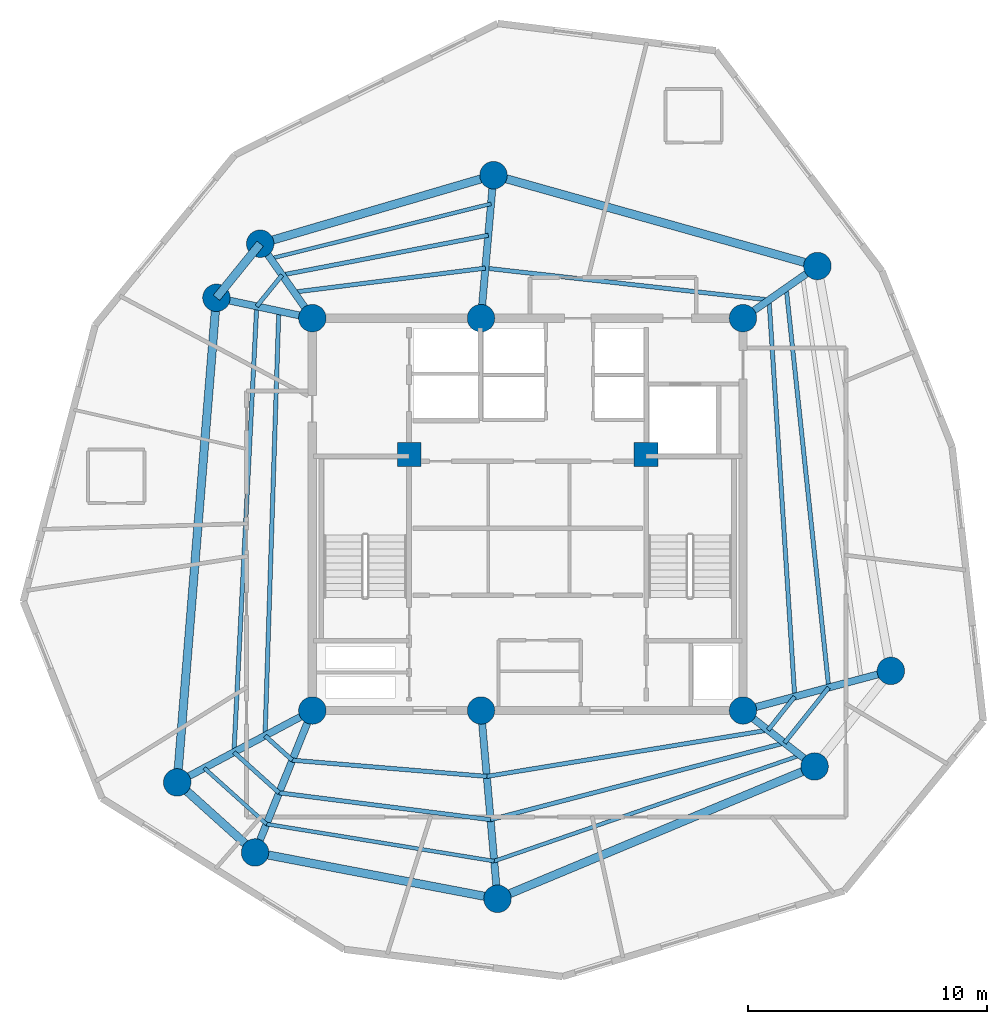
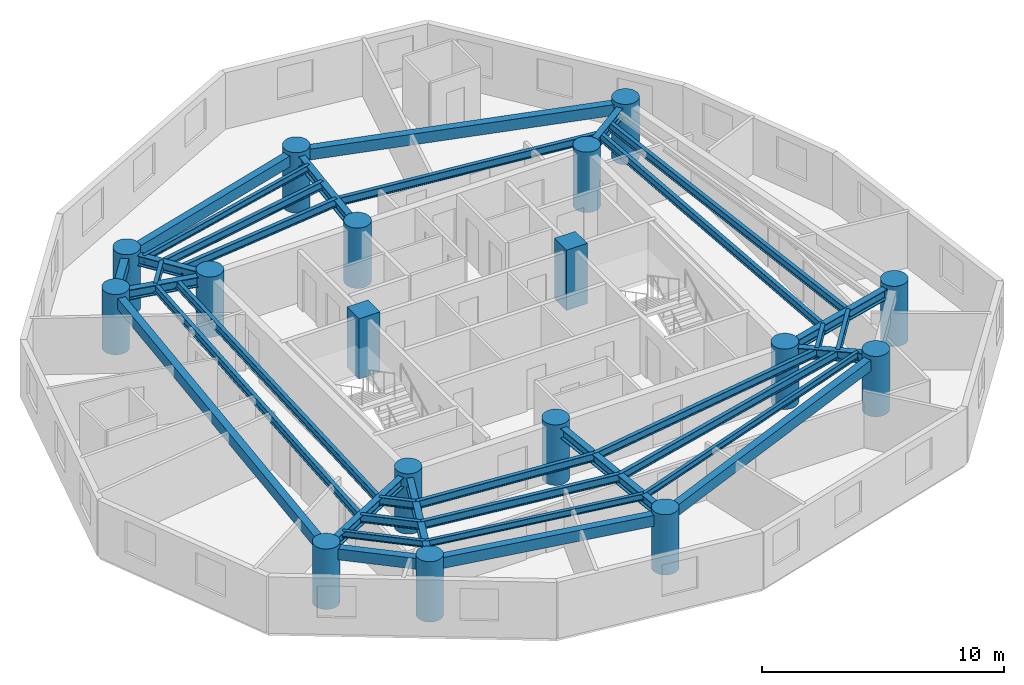
# One storey, part 1 of 7: 36 beams, 17 columns.
"""IFC4 building model written with IfcOpenShell, lengths in metres."""

from ifc_helpers import new_model, si_unit, direction, frame, origin, origin_with_axes, origin_2d, place, context, subcontext, project, spatial, rectangle, circle, i_section, extrude, source, transform, mapped, material, material_profile, profile_set, type_object, element, save


model = new_model("IFC4")

# Units and contexts
model_context = context("Model", 3, precision=1e-05, world=origin(), true_north=direction((0.0, 1.0)))
body_context = subcontext(model_context, "Body", "Model", "MODEL_VIEW")
ifc_project = project(units=[si_unit("LENGTHUNIT", "METRE"), si_unit("AREAUNIT", "SQUARE_METRE"), si_unit("VOLUMEUNIT", "CUBIC_METRE"), si_unit("PLANEANGLEUNIT", "RADIAN"), si_unit("MASSUNIT", "GRAM", prefix="KILO")], contexts=[model_context])

# Site, building, storey
site_placement = place(None, origin())
site = spatial("IfcSite", under=ifc_project, at=site_placement, CompositionType="ELEMENT")
building_placement = place(site_placement, origin())
building = spatial("IfcBuilding", under=site, at=building_placement, Name="Karkom Vertical University and Central Library", CompositionType="ELEMENT")
storey_placement = place(building_placement, frame((0.0, 0.0, 241.300048828125)))
storey = spatial("IfcBuildingStorey", under=building, at=storey_placement, Name="L71", CompositionType="ELEMENT", Elevation=241.300048828125)

# Columns
ifc_material_1 = material(Name="Concrete C50/60", Category="concrete")
ifc_material_profile_1 = material_profile(ifc_material_1, rectangle(XDim=1.0, YDim=1.0, at=origin_2d()), Name="RC-1000x1000")
ifc_profile_set_1 = profile_set([ifc_material_profile_1], Name="Concrete C50/60")
column_type_1 = type_object("IfcColumnType", Name="STR-COL-C-CC2", PredefinedType="COLUMN", material=ifc_profile_set_1)
shared_shape_1 = source(origin_with_axes(), body_context, "Body", "SweptSolid", [
    extrude(rectangle(XDim=1.0, YDim=1.0, at=origin_2d()), origin(), (0.0, 0.0, 1.0), 3.050048828125),
])
for number, where, z_axis, x_axis, name in (
    (1, (23.550048828125, 29.0, 0.0), (0.0, 0.0, 1.0), (1.0, 0.0, 0.0), "Level 71 Core Node Column CC-1"),
    (2, (33.449951171875, 29.0, 0.0), (0.0, 0.0, 1.0), (1.0, 0.0, 0.0), "Level 71 Core Node Column CC-2"),
):
    element("IfcColumn", number, at=place(storey_placement, frame(where, z_axis=z_axis, x_axis=x_axis)), inside=storey, type_object=column_type_1, Name=name, PredefinedType="COLUMN", context=body_context, shape_type="MappedRepresentation", body=[
        mapped(shared_shape_1, transform((0.0, 0.0, 0.0), scale=1.0)),
    ])
ifc_material_2 = material(Name="Concrete C45/55", Category="concrete")
ifc_material_profile_2 = material_profile(ifc_material_2, circle(Radius=0.574951171875, at=origin_2d()), Name="CFT-D1150")
ifc_profile_set_2 = profile_set([ifc_material_profile_2], Name="Concrete C45/55")
column_type_2 = type_object("IfcColumnType", Name="STR-COL-C-SC5", PredefinedType="COLUMN", material=ifc_profile_set_2)
shared_shape_2 = source(origin_with_axes(), body_context, "Body", "SweptSolid", [
    extrude(circle(Radius=0.574951171875, at=origin_2d()), origin(), (0.0, 0.0, 1.0), 3.050048828125),
])
for number, where, z_axis, x_axis, name in (
    (3, (19.5, 18.300048828125, 0.0), (0.0, 0.0, 1.0), (1.0, 0.0, 0.0), "Level 71 Spine Mega-Column SC-1"),
    (4, (26.550048828125, 18.300048828125, 0.0), (0.0, 0.0, 1.0), (1.0, 0.0, 0.0), "Level 71 Spine Mega-Column SC-2"),
    (5, (37.5, 18.300048828125, 0.0), (0.0, 0.0, 1.0), (1.0, 0.0, 0.0), "Level 71 Spine Mega-Column SC-3"),
    (6, (19.5, 34.699951171875, 0.0), (0.0, 0.0, 1.0), (1.0, 0.0, 0.0), "Level 71 Spine Mega-Column SC-4"),
    (7, (26.550048828125, 34.699951171875, 0.0), (0.0, 0.0, 1.0), (1.0, 0.0, 0.0), "Level 71 Spine Mega-Column SC-5"),
    (8, (37.5, 34.699951171875, 0.0), (0.0, 0.0, 1.0), (1.0, 0.0, 0.0), "Level 71 Spine Mega-Column SC-6"),
    (9, (43.681884765625, 19.9560546875, 0.0), (0.0, 0.0, 1.0), (1.0, 0.0, 0.0), "Level 71 Perimeter Mega-Column Z4-PC1"),
    (10, (40.613037109375, 36.8798828125, 0.0), (0.0, 0.0, 1.0), (1.0, 0.0, 0.0), "Level 71 Perimeter Mega-Column Z4-PC2"),
    (11, (27.072998046875, 40.677001953125, 0.0), (0.0, 0.0, 1.0), (1.0, 0.0, 0.0), "Level 71 Perimeter Mega-Column Z4-PC3"),
    (12, (17.320068359375, 37.81298828125, 0.0), (0.0, 0.0, 1.0), (1.0, 0.0, 0.0), "Level 71 Perimeter Mega-Column Z4-PC4"),
    (13, (15.489990234375, 35.552001953125, 0.0), (0.0, 0.0, 1.0), (1.0, 0.0, 0.0), "Level 71 Perimeter Mega-Column Z4-PC5"),
    (14, (13.84912109375, 15.294921875, 0.0), (0.0, 0.0, 1.0), (1.0, 0.0, 0.0), "Level 71 Perimeter Mega-Column Z4-PC6"),
    (15, (17.10302734375, 12.365966796875, 0.0), (0.0, 0.0, 1.0), (1.0, 0.0, 0.0), "Level 71 Perimeter Mega-Column Z4-PC7"),
    (16, (27.239013671875, 10.429931640625, 0.0), (0.0, 0.0, 1.0), (1.0, 0.0, 0.0), "Level 71 Perimeter Mega-Column Z4-PC8"),
    (17, (40.493896484375, 15.9599609375, 0.0), (0.0, 0.0, 1.0), (1.0, 0.0, 0.0), "Level 71 Perimeter Mega-Column Z4-PC9"),
):
    element("IfcColumn", number, at=place(storey_placement, frame(where, z_axis=z_axis, x_axis=x_axis)), inside=storey, type_object=column_type_2, Name=name, PredefinedType="COLUMN", context=body_context, shape_type="MappedRepresentation", body=[
        mapped(shared_shape_2, transform((0.0, 0.0, 0.0), scale=1.0)),
    ])

# Beams
ifc_material_3 = material(Name="Precast concrete C45/55", Category="concrete")
ifc_material_profile_3 = material_profile(ifc_material_3, rectangle(XDim=0.35009765625, YDim=0.550048828125, at=origin_2d()), Name="SPB-350x550")
ifc_profile_set_3 = profile_set([ifc_material_profile_3], Name="Precast concrete C45/55")
beam_type_1 = type_object("IfcBeamType", Name="STR-BM-SP-2", PredefinedType="SPANDREL", material=ifc_profile_set_3)
shared_shape_3 = source(origin_with_axes(), body_context, "Body", "SweptSolid", [
    extrude(rectangle(XDim=0.35009765625, YDim=0.550048828125, at=origin_2d()), origin(), (0.0, 0.0, 1.0), 14.0625),
])
beam_1_placement = place(storey_placement, frame((40.613037109375, 36.8798828125, 2.574951171875), z_axis=(-0.962854853531, 0.270019501207, 0.0), x_axis=(-0.270019501207, -0.962854853531, 0.0)))
element("IfcBeam", 18, at=beam_1_placement, inside=storey, type_object=beam_type_1, Name="Level 71 Perimeter Spandrel Beam 02", PredefinedType="SPANDREL", context=body_context, shape_type="MappedRepresentation", body=[
    mapped(shared_shape_3, transform((0.0, 0.0, 0.0), scale=1.0)),
])
shared_shape_4 = source(origin_with_axes(), body_context, "Body", "SweptSolid", [
    extrude(rectangle(XDim=0.35009765625, YDim=0.550048828125, at=origin_2d()), origin(), (0.0, 0.0, 1.0), 10.164794921875),
])
beam_2_placement = place(storey_placement, frame((27.072998046875, 40.677001953125, 2.574951171875), z_axis=(-0.959485124536, -0.281759286971, 0.0), x_axis=(0.281759286971, -0.959485124536, 0.0)))
element("IfcBeam", 19, at=beam_2_placement, inside=storey, type_object=beam_type_1, Name="Level 71 Perimeter Spandrel Beam 03", PredefinedType="SPANDREL", context=body_context, shape_type="MappedRepresentation", body=[
    mapped(shared_shape_4, transform((0.0, 0.0, 0.0), scale=1.0)),
])
shared_shape_5 = source(origin_with_axes(), body_context, "Body", "SweptSolid", [
    extrude(rectangle(XDim=0.35009765625, YDim=0.550048828125, at=origin_2d()), origin(), (0.0, 0.0, 1.0), 2.908935546875),
])
beam_3_placement = place(storey_placement, frame((17.320068359375, 37.81298828125, 2.574951171875), z_axis=(-0.629147523747, -0.777285914811, 0.0), x_axis=(0.777285914811, -0.629147523747, 0.0)))
element("IfcBeam", 20, at=beam_3_placement, inside=storey, type_object=beam_type_1, Name="Level 71 Perimeter Spandrel Beam 04", PredefinedType="SPANDREL", context=body_context, shape_type="MappedRepresentation", body=[
    mapped(shared_shape_5, transform((0.0, 0.0, 0.0), scale=1.0)),
])
shared_shape_6 = source(origin_with_axes(), body_context, "Body", "SweptSolid", [
    extrude(rectangle(XDim=0.35009765625, YDim=0.550048828125, at=origin_2d()), origin(), (0.0, 0.0, 1.0), 20.323486328125),
])
beam_4_placement = place(storey_placement, frame((15.489990234375, 35.552001953125, 2.574951171875), z_axis=(-0.080737811681, -0.996735373991, 0.0), x_axis=(0.996735373991, -0.080737811681, 0.0)))
element("IfcBeam", 21, at=beam_4_placement, inside=storey, type_object=beam_type_1, Name="Level 71 Perimeter Spandrel Beam 05", PredefinedType="SPANDREL", context=body_context, shape_type="MappedRepresentation", body=[
    mapped(shared_shape_6, transform((0.0, 0.0, 0.0), scale=1.0)),
])
shared_shape_7 = source(origin_with_axes(), body_context, "Body", "SweptSolid", [
    extrude(rectangle(XDim=0.35009765625, YDim=0.550048828125, at=origin_2d()), origin(), (0.0, 0.0, 1.0), 4.3779296875),
])
beam_5_placement = place(storey_placement, frame((13.84912109375, 15.294921875, 2.574951171875), z_axis=(0.743244232405, -0.669020187287, 0.0), x_axis=(0.669020187287, 0.743244232405, 0.0)))
element("IfcBeam", 22, at=beam_5_placement, inside=storey, type_object=beam_type_1, Name="Level 71 Perimeter Spandrel Beam 06", PredefinedType="SPANDREL", context=body_context, shape_type="MappedRepresentation", body=[
    mapped(shared_shape_7, transform((0.0, 0.0, 0.0), scale=1.0)),
])
shared_shape_8 = source(origin_with_axes(), body_context, "Body", "SweptSolid", [
    extrude(rectangle(XDim=0.35009765625, YDim=0.550048828125, at=origin_2d()), origin(), (0.0, 0.0, 1.0), 10.3193359375),
])
beam_6_placement = place(storey_placement, frame((17.10302734375, 12.365966796875, 2.574951171875), z_axis=(0.982242767385, -0.187614354249, 0.0), x_axis=(0.187614354249, 0.982242767385, 0.0)))
element("IfcBeam", 23, at=beam_6_placement, inside=storey, type_object=beam_type_1, Name="Level 71 Perimeter Spandrel Beam 07", PredefinedType="SPANDREL", context=body_context, shape_type="MappedRepresentation", body=[
    mapped(shared_shape_8, transform((0.0, 0.0, 0.0), scale=1.0)),
])
shared_shape_9 = source(origin_with_axes(), body_context, "Body", "SweptSolid", [
    extrude(rectangle(XDim=0.35009765625, YDim=0.550048828125, at=origin_2d()), origin(), (0.0, 0.0, 1.0), 14.3623046875),
])
beam_7_placement = place(storey_placement, frame((27.239013671875, 10.429931640625, 2.574951171875), z_axis=(0.922899796194, 0.385040213725, 0.0), x_axis=(-0.385040213725, 0.922899796194, 0.0)))
element("IfcBeam", 24, at=beam_7_placement, inside=storey, type_object=beam_type_1, Name="Level 71 Perimeter Spandrel Beam 08", PredefinedType="SPANDREL", context=body_context, shape_type="MappedRepresentation", body=[
    mapped(shared_shape_9, transform((0.0, 0.0, 0.0), scale=1.0)),
])
ifc_material_4 = material(Name="Steel S355", Category="steel")
ifc_material_profile_4 = material_profile(ifc_material_4, i_section(OverallWidth=0.179931640625, OverallDepth=0.39990234375, WebThickness=0.008544921875, FlangeThickness=0.013427734375, FilletRadius=0.02099609375, at=origin_2d()), Name="IPE 400")
ifc_profile_set_4 = profile_set([ifc_material_profile_4], Name="Steel S355")
beam_type_2 = type_object("IfcBeamType", Name="STR-BM-SB-IPE400", PredefinedType="BEAM", material=ifc_profile_set_4)
shared_shape_10 = source(origin_with_axes(), body_context, "Body", "SweptSolid", [
    extrude(i_section(OverallWidth=0.179931640625, OverallDepth=0.39990234375, WebThickness=0.008544921875, FlangeThickness=0.013427734375, FilletRadius=0.02099609375, at=origin_2d()), origin(), (0.0, 0.0, 1.0), 16.617919921875),
])
beam_8_placement = place(storey_placement, frame((39.663818359375, 18.879638671875, 2.64990234375), z_axis=(-0.064641848008, 0.997908528617, 0.0), x_axis=(-0.997908528617, -0.064641848008, 0.0)))
element("IfcBeam", 25, at=beam_8_placement, inside=storey, type_object=beam_type_2, Name="Level 71 Secondary Composite Floor Beam 1.01", PredefinedType="BEAM", context=body_context, shape_type="MappedRepresentation", body=[
    mapped(shared_shape_10, transform((0.0, 0.0, 0.0), scale=1.0)),
])
shared_shape_11 = source(origin_with_axes(), body_context, "Body", "SweptSolid", [
    extrude(i_section(OverallWidth=0.179931640625, OverallDepth=0.39990234375, WebThickness=0.008544921875, FlangeThickness=0.013427734375, FilletRadius=0.02099609375, at=origin_2d()), origin(), (0.0, 0.0, 1.0), 11.9306640625),
])
beam_9_placement = place(storey_placement, frame((38.589599609375, 35.462890625, 2.64990234375), z_axis=(-0.993775454886, 0.11140172919, 0.0), x_axis=(-0.11140172919, -0.993775454886, 0.0)))
element("IfcBeam", 26, at=beam_9_placement, inside=storey, type_object=beam_type_2, Name="Level 71 Secondary Composite Floor Beam 1.02", PredefinedType="BEAM", context=body_context, shape_type="MappedRepresentation", body=[
    mapped(shared_shape_11, transform((0.0, 0.0, 0.0), scale=1.0)),
])
shared_shape_12 = source(origin_with_axes(), body_context, "Body", "SweptSolid", [
    extrude(i_section(OverallWidth=0.179931640625, OverallDepth=0.39990234375, WebThickness=0.008544921875, FlangeThickness=0.013427734375, FilletRadius=0.02099609375, at=origin_2d()), origin(), (0.0, 0.0, 1.0), 8.05859375),
])
beam_10_placement = place(storey_placement, frame((26.733154296875, 36.7919921875, 2.64990234375), z_axis=(-0.99223306826, -0.124392677646, 0.0), x_axis=(0.124392677646, -0.99223306826, 0.0)))
element("IfcBeam", 27, at=beam_10_placement, inside=storey, type_object=beam_type_2, Name="Level 71 Secondary Composite Floor Beam 1.03", PredefinedType="BEAM", context=body_context, shape_type="MappedRepresentation", body=[
    mapped(shared_shape_12, transform((0.0, 0.0, 0.0), scale=1.0)),
])
shared_shape_13 = source(origin_with_axes(), body_context, "Body", "SweptSolid", [
    extrude(i_section(OverallWidth=0.179931640625, OverallDepth=0.39990234375, WebThickness=0.008544921875, FlangeThickness=0.013427734375, FilletRadius=0.02099609375, at=origin_2d()), origin(), (0.0, 0.0, 1.0), 17.75927734375),
])
beam_11_placement = place(storey_placement, frame((18.096435546875, 34.998291015625, 2.64990234375), z_axis=(-0.032333437334, -0.999477137723, 0.0), x_axis=(0.999477137723, -0.032333437334, 0.0)))
element("IfcBeam", 28, at=beam_11_placement, inside=storey, type_object=beam_type_2, Name="Level 71 Secondary Composite Floor Beam 1.05", PredefinedType="BEAM", context=body_context, shape_type="MappedRepresentation", body=[
    mapped(shared_shape_13, transform((0.0, 0.0, 0.0), scale=1.0)),
])
shared_shape_14 = source(origin_with_axes(), body_context, "Body", "SweptSolid", [
    extrude(i_section(OverallWidth=0.179931640625, OverallDepth=0.39990234375, WebThickness=0.008544921875, FlangeThickness=0.013427734375, FilletRadius=0.02099609375, at=origin_2d()), origin(), (0.0, 0.0, 1.0), 1.5322265625),
])
beam_12_placement = place(storey_placement, frame((17.522216796875, 17.248291015625, 2.64990234375), z_axis=(0.743183211059, -0.669087972392, 0.0), x_axis=(0.669087972392, 0.743183211059, 0.0)))
element("IfcBeam", 29, at=beam_12_placement, inside=storey, type_object=beam_type_2, Name="Level 71 Secondary Composite Floor Beam 1.06", PredefinedType="BEAM", context=body_context, shape_type="MappedRepresentation", body=[
    mapped(shared_shape_14, transform((0.0, 0.0, 0.0), scale=1.0)),
])
shared_shape_15 = source(origin_with_axes(), body_context, "Body", "SweptSolid", [
    extrude(i_section(OverallWidth=0.179931640625, OverallDepth=0.39990234375, WebThickness=0.008544921875, FlangeThickness=0.013427734375, FilletRadius=0.02099609375, at=origin_2d()), origin(), (0.0, 0.0, 1.0), 8.15869140625),
])
beam_13_placement = place(storey_placement, frame((18.660888671875, 16.22314453125, 2.64990234375), z_axis=(0.996543694183, -0.083070244882, 0.0), x_axis=(0.083070244882, 0.996543694183, 0.0)))
element("IfcBeam", 30, at=beam_13_placement, inside=storey, type_object=beam_type_2, Name="Level 71 Secondary Composite Floor Beam 1.07", PredefinedType="BEAM", context=body_context, shape_type="MappedRepresentation", body=[
    mapped(shared_shape_15, transform((0.0, 0.0, 0.0), scale=1.0)),
])
shared_shape_16 = source(origin_with_axes(), body_context, "Body", "SweptSolid", [
    extrude(i_section(OverallWidth=0.179931640625, OverallDepth=0.39990234375, WebThickness=0.008544921875, FlangeThickness=0.013427734375, FilletRadius=0.02099609375, at=origin_2d()), origin(), (0.0, 0.0, 1.0), 11.914794921875),
])
beam_14_placement = place(storey_placement, frame((26.791259765625, 15.54541015625, 2.64990234375), z_axis=(0.986717073469, 0.162448197663, 0.0), x_axis=(-0.162448197663, 0.986717073469, 0.0)))
element("IfcBeam", 31, at=beam_14_placement, inside=storey, type_object=beam_type_2, Name="Level 71 Secondary Composite Floor Beam 1.08", PredefinedType="BEAM", context=body_context, shape_type="MappedRepresentation", body=[
    mapped(shared_shape_16, transform((0.0, 0.0, 0.0), scale=1.0)),
])
shared_shape_17 = source(origin_with_axes(), body_context, "Body", "SweptSolid", [
    extrude(i_section(OverallWidth=0.179931640625, OverallDepth=0.39990234375, WebThickness=0.008544921875, FlangeThickness=0.013427734375, FilletRadius=0.02099609375, at=origin_2d()), origin(), (0.0, 0.0, 1.0), 1.789306640625),
])
beam_15_placement = place(storey_placement, frame((38.5478515625, 17.48095703125, 2.64990234375), z_axis=(0.623679519349, 0.781680150154, 0.0), x_axis=(-0.781680150154, 0.623679519349, 0.0)))
element("IfcBeam", 32, at=beam_15_placement, inside=storey, type_object=beam_type_2, Name="Level 71 Secondary Composite Floor Beam 1.09", PredefinedType="BEAM", context=body_context, shape_type="MappedRepresentation", body=[
    mapped(shared_shape_17, transform((0.0, 0.0, 0.0), scale=1.0)),
])
shared_shape_18 = source(origin_with_axes(), body_context, "Body", "SweptSolid", [
    extrude(i_section(OverallWidth=0.179931640625, OverallDepth=0.39990234375, WebThickness=0.008544921875, FlangeThickness=0.013427734375, FilletRadius=0.02099609375, at=origin_2d()), origin(), (0.0, 0.0, 1.0), 16.79833984375),
])
beam_16_placement = place(storey_placement, frame((41.085693359375, 19.260498046875, 2.64990234375), z_axis=(-0.105978377704, 0.994368434464, 0.0), x_axis=(-0.994368434464, -0.105978377704, 0.0)))
element("IfcBeam", 33, at=beam_16_placement, inside=storey, type_object=beam_type_2, Name="Level 71 Secondary Composite Floor Beam 2.01", PredefinedType="BEAM", context=body_context, shape_type="MappedRepresentation", body=[
    mapped(shared_shape_18, transform((0.0, 0.0, 0.0), scale=1.0)),
])
shared_shape_19 = source(origin_with_axes(), body_context, "Body", "SweptSolid", [
    extrude(i_section(OverallWidth=0.179931640625, OverallDepth=0.39990234375, WebThickness=0.008544921875, FlangeThickness=0.013427734375, FilletRadius=0.02099609375, at=origin_2d()), origin(), (0.0, 0.0, 1.0), 8.7763671875),
])
beam_17_placement = place(storey_placement, frame((26.853271484375, 38.166748046875, 2.64990234375), z_axis=(-0.981924209256, -0.189274528862, 0.0), x_axis=(0.189274528862, -0.981924209256, 0.0)))
element("IfcBeam", 34, at=beam_17_placement, inside=storey, type_object=beam_type_2, Name="Level 71 Secondary Composite Floor Beam 2.03", PredefinedType="BEAM", context=body_context, shape_type="MappedRepresentation", body=[
    mapped(shared_shape_19, transform((0.0, 0.0, 0.0), scale=1.0)),
])
shared_shape_20 = source(origin_with_axes(), body_context, "Body", "SweptSolid", [
    extrude(i_section(OverallWidth=0.179931640625, OverallDepth=0.39990234375, WebThickness=0.008544921875, FlangeThickness=0.013427734375, FilletRadius=0.02099609375, at=origin_2d()), origin(), (0.0, 0.0, 1.0), 1.68701171875),
])
beam_18_placement = place(storey_placement, frame((18.235595703125, 36.505615234375, 2.64990234375), z_axis=(-0.629044191861, -0.777369541908, 0.0), x_axis=(0.777369541908, -0.629044191861, 0.0)))
element("IfcBeam", 35, at=beam_18_placement, inside=storey, type_object=beam_type_2, Name="Level 71 Secondary Composite Floor Beam 2.04", PredefinedType="BEAM", context=body_context, shape_type="MappedRepresentation", body=[
    mapped(shared_shape_20, transform((0.0, 0.0, 0.0), scale=1.0)),
])
shared_shape_21 = source(origin_with_axes(), body_context, "Body", "SweptSolid", [
    extrude(i_section(OverallWidth=0.179931640625, OverallDepth=0.39990234375, WebThickness=0.008544921875, FlangeThickness=0.013427734375, FilletRadius=0.02099609375, at=origin_2d()), origin(), (0.0, 0.0, 1.0), 18.661376953125),
])
beam_19_placement = place(storey_placement, frame((17.17431640625, 35.194091796875, 2.64990234375), z_axis=(-0.051009656211, -0.998698160093, 0.0), x_axis=(0.998698160093, -0.051009656211, 0.0)))
element("IfcBeam", 36, at=beam_19_placement, inside=storey, type_object=beam_type_2, Name="Level 71 Secondary Composite Floor Beam 2.05", PredefinedType="BEAM", context=body_context, shape_type="MappedRepresentation", body=[
    mapped(shared_shape_21, transform((0.0, 0.0, 0.0), scale=1.0)),
])
shared_shape_22 = source(origin_with_axes(), body_context, "Body", "SweptSolid", [
    extrude(i_section(OverallWidth=0.179931640625, OverallDepth=0.39990234375, WebThickness=0.008544921875, FlangeThickness=0.013427734375, FilletRadius=0.02099609375, at=origin_2d()), origin(), (0.0, 0.0, 1.0), 2.5390625),
])
beam_20_placement = place(storey_placement, frame((16.222412109375, 16.55712890625, 2.64990234375), z_axis=(0.743246334517, -0.669017851949, 0.0), x_axis=(0.669017851949, 0.743246334517, 0.0)))
element("IfcBeam", 37, at=beam_20_placement, inside=storey, type_object=beam_type_2, Name="Level 71 Secondary Composite Floor Beam 2.06", PredefinedType="BEAM", context=body_context, shape_type="MappedRepresentation", body=[
    mapped(shared_shape_22, transform((0.0, 0.0, 0.0), scale=1.0)),
])
shared_shape_23 = source(origin_with_axes(), body_context, "Body", "SweptSolid", [
    extrude(i_section(OverallWidth=0.179931640625, OverallDepth=0.39990234375, WebThickness=0.008544921875, FlangeThickness=0.013427734375, FilletRadius=0.02099609375, at=origin_2d()), origin(), (0.0, 0.0, 1.0), 8.9111328125),
])
beam_21_placement = place(storey_placement, frame((18.109619140625, 14.8583984375, 2.64990234375), z_axis=(0.992026771403, -0.126027317751, 0.0), x_axis=(0.126027317751, 0.992026771403, 0.0)))
element("IfcBeam", 38, at=beam_21_placement, inside=storey, type_object=beam_type_2, Name="Level 71 Secondary Composite Floor Beam 2.07", PredefinedType="BEAM", context=body_context, shape_type="MappedRepresentation", body=[
    mapped(shared_shape_23, transform((0.0, 0.0, 0.0), scale=1.0)),
])
shared_shape_24 = source(origin_with_axes(), body_context, "Body", "SweptSolid", [
    extrude(i_section(OverallWidth=0.179931640625, OverallDepth=0.39990234375, WebThickness=0.008544921875, FlangeThickness=0.013427734375, FilletRadius=0.02099609375, at=origin_2d()), origin(), (0.0, 0.0, 1.0), 12.69873046875),
])
beam_22_placement = place(storey_placement, frame((26.94970703125, 13.7353515625, 2.64990234375), z_axis=(0.967573974729, 0.252587813301, 0.0), x_axis=(-0.252587813301, 0.967573974729, 0.0)))
element("IfcBeam", 39, at=beam_22_placement, inside=storey, type_object=beam_type_2, Name="Level 71 Secondary Composite Floor Beam 2.08", PredefinedType="BEAM", context=body_context, shape_type="MappedRepresentation", body=[
    mapped(shared_shape_24, transform((0.0, 0.0, 0.0), scale=1.0)),
])
shared_shape_25 = source(origin_with_axes(), body_context, "Body", "SweptSolid", [
    extrude(i_section(OverallWidth=0.179931640625, OverallDepth=0.39990234375, WebThickness=0.008544921875, FlangeThickness=0.013427734375, FilletRadius=0.02099609375, at=origin_2d()), origin(), (0.0, 0.0, 1.0), 2.96484375),
])
beam_23_placement = place(storey_placement, frame((39.236572265625, 16.94287109375, 2.64990234375), z_axis=(0.623670236397, 0.781687556657, 0.0), x_axis=(-0.781687556657, 0.623670236397, 0.0)))
element("IfcBeam", 40, at=beam_23_placement, inside=storey, type_object=beam_type_2, Name="Level 71 Secondary Composite Floor Beam 2.09", PredefinedType="BEAM", context=body_context, shape_type="MappedRepresentation", body=[
    mapped(shared_shape_25, transform((0.0, 0.0, 0.0), scale=1.0)),
])
ifc_material_profile_5 = material_profile(ifc_material_4, i_section(OverallWidth=0.159912109375, OverallDepth=0.330078125, WebThickness=0.007568359375, FlangeThickness=0.011474609375, FilletRadius=0.01806640625, at=origin_2d()), Name="IPE 330")
ifc_profile_set_5 = profile_set([ifc_material_profile_5], Name="Steel S355")
beam_type_3 = type_object("IfcBeamType", Name="STR-BM-SB-IPE330", PredefinedType="BEAM", material=ifc_profile_set_5)
shared_shape_26 = source(origin_with_axes(), body_context, "Body", "SweptSolid", [
    extrude(i_section(OverallWidth=0.159912109375, OverallDepth=0.330078125, WebThickness=0.007568359375, FlangeThickness=0.011474609375, FilletRadius=0.01806640625, at=origin_2d()), origin(), (0.0, 0.0, 1.0), 9.4931640625),
])
beam_24_placement = place(storey_placement, frame((26.968505859375, 39.481689453125, 2.68505859375), z_axis=(-0.970435275293, -0.241361505767, 0.0), x_axis=(0.241361505767, -0.970435275293, 0.0)))
element("IfcBeam", 41, at=beam_24_placement, inside=storey, type_object=beam_type_3, Name="Level 71 Secondary Composite Floor Beam 3.03", PredefinedType="BEAM", context=body_context, shape_type="MappedRepresentation", body=[
    mapped(shared_shape_26, transform((0.0, 0.0, 0.0), scale=1.0)),
])
shared_shape_27 = source(origin_with_axes(), body_context, "Body", "SweptSolid", [
    extrude(i_section(OverallWidth=0.159912109375, OverallDepth=0.330078125, WebThickness=0.007568359375, FlangeThickness=0.011474609375, FilletRadius=0.01806640625, at=origin_2d()), origin(), (0.0, 0.0, 1.0), 3.50244140625),
])
beam_25_placement = place(storey_placement, frame((14.979248046875, 15.89599609375, 2.68505859375), z_axis=(0.743249087562, -0.669014793437, 0.0), x_axis=(0.669014793437, 0.743249087562, 0.0)))
element("IfcBeam", 42, at=beam_25_placement, inside=storey, type_object=beam_type_3, Name="Level 71 Secondary Composite Floor Beam 3.06", PredefinedType="BEAM", context=body_context, shape_type="MappedRepresentation", body=[
    mapped(shared_shape_27, transform((0.0, 0.0, 0.0), scale=1.0)),
])
shared_shape_28 = source(origin_with_axes(), body_context, "Body", "SweptSolid", [
    extrude(i_section(OverallWidth=0.159912109375, OverallDepth=0.330078125, WebThickness=0.007568359375, FlangeThickness=0.011474609375, FilletRadius=0.01806640625, at=origin_2d()), origin(), (0.0, 0.0, 1.0), 9.64404296875),
])
beam_26_placement = place(storey_placement, frame((17.58251953125, 13.552734375, 2.68505859375), z_axis=(0.987019497924, -0.160600469231, 0.0), x_axis=(0.160600469231, 0.987019497924, 0.0)))
element("IfcBeam", 43, at=beam_26_placement, inside=storey, type_object=beam_type_3, Name="Level 71 Secondary Composite Floor Beam 3.07", PredefinedType="BEAM", context=body_context, shape_type="MappedRepresentation", body=[
    mapped(shared_shape_28, transform((0.0, 0.0, 0.0), scale=1.0)),
])
shared_shape_29 = source(origin_with_axes(), body_context, "Body", "SweptSolid", [
    extrude(i_section(OverallWidth=0.159912109375, OverallDepth=0.330078125, WebThickness=0.007568359375, FlangeThickness=0.011474609375, FilletRadius=0.01806640625, at=origin_2d()), origin(), (0.0, 0.0, 1.0), 13.537353515625),
])
beam_27_placement = place(storey_placement, frame((27.101318359375, 12.00390625, 2.68505859375), z_axis=(0.945091088216, 0.32680703018, 0.0), x_axis=(-0.32680703018, 0.945091088216, 0.0)))
element("IfcBeam", 44, at=beam_27_placement, inside=storey, type_object=beam_type_3, Name="Level 71 Secondary Composite Floor Beam 3.08", PredefinedType="BEAM", context=body_context, shape_type="MappedRepresentation", body=[
    mapped(shared_shape_29, transform((0.0, 0.0, 0.0), scale=1.0)),
])
ifc_material_profile_6 = material_profile(ifc_material_4, i_section(OverallWidth=0.300048828125, OverallDepth=0.5, WebThickness=0.014404296875, FlangeThickness=0.028076171875, FilletRadius=0.027099609375, at=origin_2d()), Name="HE 500 B")
ifc_profile_set_6 = profile_set([ifc_material_profile_6], Name="Steel S355")
beam_type_4 = type_object("IfcBeamType", Name="STR-BM-SB-HE500", PredefinedType="USERDEFINED", material=ifc_profile_set_6)
shared_shape_30 = source(origin_with_axes(), body_context, "Body", "SweptSolid", [
    extrude(i_section(OverallWidth=0.300048828125, OverallDepth=0.5, WebThickness=0.014404296875, FlangeThickness=0.028076171875, FilletRadius=0.027099609375, at=origin_2d()), origin(), (0.0, 0.0, 1.0), 6.39990234375),
])
for number, where, z_axis, x_axis, name in (
    (45, (37.5, 18.300048828125, 2.599853515625), (0.965942432948, 0.258757060254, 0.0), (-0.258757060254, 0.965942432948, 0.0), "Level 71 Radial Frame Girder 01"),
    (46, (19.5, 18.300048828125, 2.599853515625), (-0.374532429749, -0.927213815183, 0.0), (0.927213815183, -0.374532429749, 0.0), "Level 71 Radial Frame Girder 07"),
):
    element("IfcBeam", number, at=place(storey_placement, frame(where, z_axis=z_axis, x_axis=x_axis)), inside=storey, type_object=beam_type_4, Name=name, ObjectType="GIRDER", PredefinedType="USERDEFINED", context=body_context, shape_type="MappedRepresentation", body=[
        mapped(shared_shape_30, transform((0.0, 0.0, 0.0), scale=1.0)),
    ])
shared_shape_31 = source(origin_with_axes(), body_context, "Body", "SweptSolid", [
    extrude(i_section(OverallWidth=0.300048828125, OverallDepth=0.5, WebThickness=0.014404296875, FlangeThickness=0.028076171875, FilletRadius=0.027099609375, at=origin_2d()), origin(), (0.0, 0.0, 1.0), 3.80029296875),
])
for number, where, z_axis, x_axis, name in (
    (47, (37.5, 34.699951171875, 2.599853515625), (0.819132313625, 0.573604613627, 0.0), (-0.573604613627, 0.819132313625, 0.0), "Level 71 Radial Frame Girder 02"),
    (48, (19.5, 34.699951171875, 2.599853515625), (-0.573604613627, 0.819132313625, 0.0), (-0.819132313625, -0.573604613627, 0.0), "Level 71 Radial Frame Girder 04"),
):
    element("IfcBeam", number, at=place(storey_placement, frame(where, z_axis=z_axis, x_axis=x_axis)), inside=storey, type_object=beam_type_4, Name=name, ObjectType="GIRDER", PredefinedType="USERDEFINED", context=body_context, shape_type="MappedRepresentation", body=[
        mapped(shared_shape_31, transform((0.0, 0.0, 0.0), scale=1.0)),
    ])
shared_shape_32 = source(origin_with_axes(), body_context, "Body", "SweptSolid", [
    extrude(i_section(OverallWidth=0.300048828125, OverallDepth=0.5, WebThickness=0.014404296875, FlangeThickness=0.028076171875, FilletRadius=0.027099609375, at=origin_2d()), origin(), (0.0, 0.0, 1.0), 6.0),
])
beam_28_placement = place(storey_placement, frame((26.550048828125, 34.699951171875, 2.599853515625), z_axis=(0.087159883478, 0.996194335816, 0.0), x_axis=(-0.996194335816, 0.087159883478, 0.0)))
element("IfcBeam", 49, at=beam_28_placement, inside=storey, type_object=beam_type_4, Name="Level 71 Radial Frame Girder 03", ObjectType="GIRDER", PredefinedType="USERDEFINED", context=body_context, shape_type="MappedRepresentation", body=[
    mapped(shared_shape_32, transform((0.0, 0.0, 0.0), scale=1.0)),
])
shared_shape_33 = source(origin_with_axes(), body_context, "Body", "SweptSolid", [
    extrude(i_section(OverallWidth=0.300048828125, OverallDepth=0.5, WebThickness=0.014404296875, FlangeThickness=0.028076171875, FilletRadius=0.027099609375, at=origin_2d()), origin(), (0.0, 0.0, 1.0), 4.099609375),
])
beam_29_placement = place(storey_placement, frame((19.5, 34.699951171875, 2.599853515625), z_axis=(-0.978162634602, 0.207840949453, 0.0), x_axis=(-0.207840949453, -0.978162634602, 0.0)))
element("IfcBeam", 50, at=beam_29_placement, inside=storey, type_object=beam_type_4, Name="Level 71 Radial Frame Girder 05", ObjectType="GIRDER", PredefinedType="USERDEFINED", context=body_context, shape_type="MappedRepresentation", body=[
    mapped(shared_shape_33, transform((0.0, 0.0, 0.0), scale=1.0)),
])
shared_shape_34 = source(origin_with_axes(), body_context, "Body", "SweptSolid", [
    extrude(i_section(OverallWidth=0.300048828125, OverallDepth=0.5, WebThickness=0.014404296875, FlangeThickness=0.028076171875, FilletRadius=0.027099609375, at=origin_2d()), origin(), (0.0, 0.0, 1.0), 6.400146484375),
])
beam_30_placement = place(storey_placement, frame((19.5, 18.300048828125, 2.599853515625), z_axis=(-0.882915120857, -0.469532628645, 0.0), x_axis=(0.469532628645, -0.882915120857, 0.0)))
element("IfcBeam", 51, at=beam_30_placement, inside=storey, type_object=beam_type_4, Name="Level 71 Radial Frame Girder 06", ObjectType="GIRDER", PredefinedType="USERDEFINED", context=body_context, shape_type="MappedRepresentation", body=[
    mapped(shared_shape_34, transform((0.0, 0.0, 0.0), scale=1.0)),
])
shared_shape_35 = source(origin_with_axes(), body_context, "Body", "SweptSolid", [
    extrude(i_section(OverallWidth=0.300048828125, OverallDepth=0.5, WebThickness=0.014404296875, FlangeThickness=0.028076171875, FilletRadius=0.027099609375, at=origin_2d()), origin(), (0.0, 0.0, 1.0), 7.900146484375),
])
beam_31_placement = place(storey_placement, frame((26.550048828125, 18.300048828125, 2.599853515625), z_axis=(0.087208352312, -0.996190093951, 0.0), x_axis=(0.996190093951, 0.087208352312, 0.0)))
element("IfcBeam", 52, at=beam_31_placement, inside=storey, type_object=beam_type_4, Name="Level 71 Radial Frame Girder 08", ObjectType="GIRDER", PredefinedType="USERDEFINED", context=body_context, shape_type="MappedRepresentation", body=[
    mapped(shared_shape_35, transform((0.0, 0.0, 0.0), scale=1.0)),
])
shared_shape_36 = source(origin_with_axes(), body_context, "Body", "SweptSolid", [
    extrude(i_section(OverallWidth=0.300048828125, OverallDepth=0.5, WebThickness=0.014404296875, FlangeThickness=0.028076171875, FilletRadius=0.027099609375, at=origin_2d()), origin(), (0.0, 0.0, 1.0), 3.7998046875),
])
beam_32_placement = place(storey_placement, frame((37.5, 18.300048828125, 2.599853515625), z_axis=(0.787883114707, -0.61582481077, 0.0), x_axis=(0.61582481077, 0.787883114707, 0.0)))
element("IfcBeam", 53, at=beam_32_placement, inside=storey, type_object=beam_type_4, Name="Level 71 Radial Frame Girder 09", ObjectType="GIRDER", PredefinedType="USERDEFINED", context=body_context, shape_type="MappedRepresentation", body=[
    mapped(shared_shape_36, transform((0.0, 0.0, 0.0), scale=1.0)),
])

save(model, "model.ifc")
